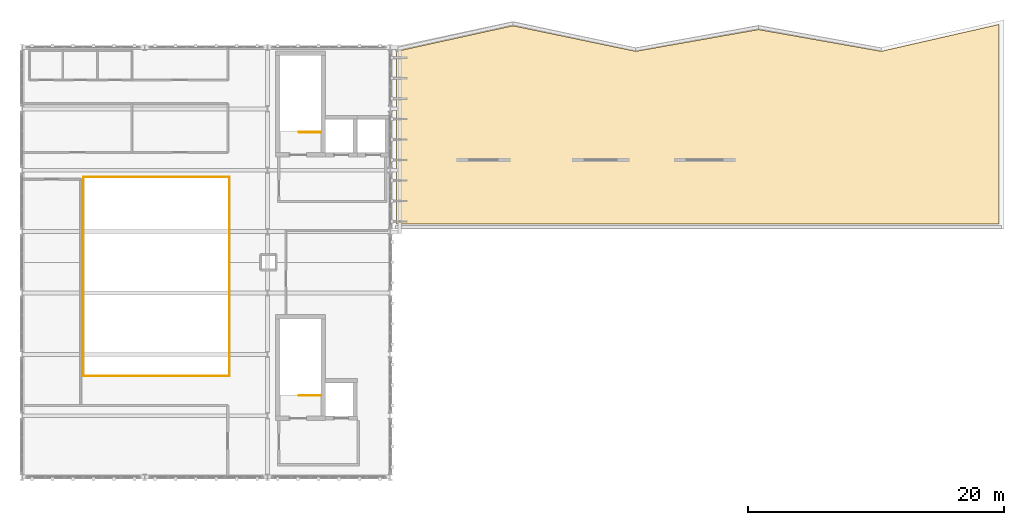
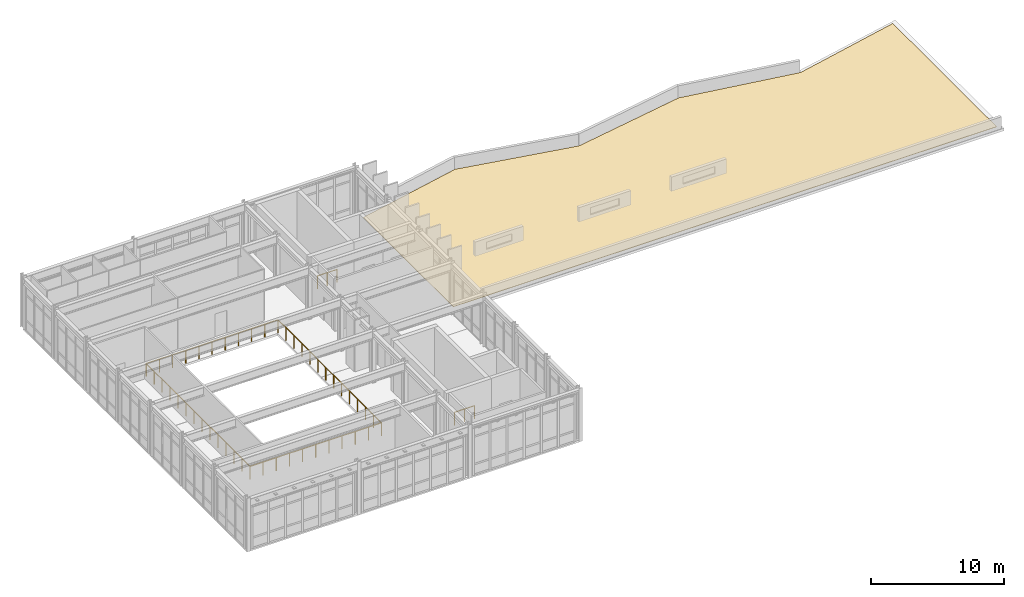
# One storey, part 16 of 16: 6 railings, 1 covering.
"""IFC4 building model written with IfcOpenShell, lengths in metres."""

from ifc_helpers import new_model, si_unit, direction, frame, origin, origin_2d, place, context, subcontext, project, spatial, polyline, circle, outline, extrude, material, layer, layer_set, type_object, element, save


model = new_model("IFC4")

# Units and contexts
model_context = context("Model", 3, precision=1e-05, world=origin(), true_north=direction((0.0, 1.0)))
body_context = subcontext(model_context, "Body", "Model", "MODEL_VIEW")
ifc_project = project(units=[si_unit("LENGTHUNIT", "METRE"), si_unit("AREAUNIT", "SQUARE_METRE"), si_unit("VOLUMEUNIT", "CUBIC_METRE"), si_unit("PLANEANGLEUNIT", "RADIAN"), si_unit("MASSUNIT", "GRAM", prefix="KILO")], contexts=[model_context])

# Site, building, storey
site_placement = place(None, origin())
site = spatial("IfcSite", under=ifc_project, at=site_placement, CompositionType="ELEMENT")
building_placement = place(site_placement, origin())
building = spatial("IfcBuilding", under=site, at=building_placement, Name="Nordkorset Police Headquarters", CompositionType="ELEMENT")
storey_placement = place(building_placement, frame((0.0, 0.0, 31.14990234375)))
storey = spatial("IfcBuildingStorey", under=building, at=storey_placement, Name="L07", CompositionType="ELEMENT", Elevation=31.14990234375)

# Railings
ifc_material_1 = material(Name="Steel S355J2", Category="steel")
ifc_layer_1 = layer(ifc_material_1, 0.050048828125, Name="Steel S355J2")
ifc_layer_set_1 = layer_set([ifc_layer_1], Name="Steel S355J2")
railing_type = type_object("IfcRailingType", Name="Railing_StairGuard_1200", PredefinedType="GUARDRAIL", material=ifc_layer_set_1)
for number, where, name in (
    (1, (23.375, 110.175048828125, 0.0), "L07 ST-01 top well guard 1"),
    (2, (23.375, 89.574951171875, 0.0), "L07 ST-03 top well guard 1"),
):
    element("IfcRailing", number, at=place(storey_placement, frame(where)), inside=storey, type_object=railing_type, Name=name, PredefinedType="GUARDRAIL", context=body_context, shape_type="SweptSolid", body=[
        extrude(circle(Radius=0.02392578125, at=origin_2d()), frame((0.0, 0.0, 1.17578125), z_axis=(-1.0, 0.0, 0.0), x_axis=(0.0, -1.0, 0.0)), (0.0, 0.0, 1.0), 1.699951171875),
        extrude(circle(Radius=0.02099609375, at=origin_2d()), origin(), (0.0, 0.0, 1.0), 1.15185546875),
        extrude(circle(Radius=0.02099609375, at=origin_2d()), frame((-0.85009765625, 0.0, 0.0)), (0.0, 0.0, 1.0), 1.15185546875),
        extrude(circle(Radius=0.02099609375, at=origin_2d()), frame((-1.699951171875, 0.0, 0.0)), (0.0, 0.0, 1.0), 1.15185546875),
    ])
railing_1_placement = place(storey_placement, frame((4.820068359375, 91.1201171875, 0.0)))
element("IfcRailing", 3, at=railing_1_placement, inside=storey, type_object=railing_type, Name="Double-Height Void Guardrail L07-1", PredefinedType="GUARDRAIL", context=body_context, shape_type="SweptSolid", body=[
    extrude(circle(Radius=0.02392578125, at=origin_2d()), frame((0.0, 0.0, 1.17578125), z_axis=(1.0, 0.0, 0.0), x_axis=(0.0, 1.0, 0.0)), (0.0, 0.0, 1.0), 11.409912109375),
    extrude(circle(Radius=0.02099609375, at=origin_2d()), origin(), (0.0, 0.0, 1.0), 1.15185546875),
    extrude(circle(Radius=0.02099609375, at=origin_2d()), frame((1.14111328125, 0.0, 0.0)), (0.0, 0.0, 1.0), 1.15185546875),
    extrude(circle(Radius=0.02099609375, at=origin_2d()), frame((2.281982421875, 0.0, 0.0)), (0.0, 0.0, 1.0), 1.15185546875),
    extrude(circle(Radius=0.02099609375, at=origin_2d()), frame((3.4228515625, 0.0, 0.0)), (0.0, 0.0, 1.0), 1.15185546875),
    extrude(circle(Radius=0.02099609375, at=origin_2d()), frame((4.56396484375, 0.0, 0.0)), (0.0, 0.0, 1.0), 1.15185546875),
    extrude(circle(Radius=0.02099609375, at=origin_2d()), frame((5.705078125, 0.0, 0.0)), (0.0, 0.0, 1.0), 1.15185546875),
    extrude(circle(Radius=0.02099609375, at=origin_2d()), frame((6.845947265625, 0.0, 0.0)), (0.0, 0.0, 1.0), 1.15185546875),
    extrude(circle(Radius=0.02099609375, at=origin_2d()), frame((7.98681640625, 0.0, 0.0)), (0.0, 0.0, 1.0), 1.15185546875),
    extrude(circle(Radius=0.02099609375, at=origin_2d()), frame((9.1279296875, 0.0, 0.0)), (0.0, 0.0, 1.0), 1.15185546875),
    extrude(circle(Radius=0.02099609375, at=origin_2d()), frame((10.26904296875, 0.0, 0.0)), (0.0, 0.0, 1.0), 1.15185546875),
    extrude(circle(Radius=0.02099609375, at=origin_2d()), frame((11.409912109375, 0.0, 0.0)), (0.0, 0.0, 1.0), 1.15185546875),
])
railing_2_placement = place(storey_placement, frame((16.22998046875, 91.1201171875, 0.0)))
element("IfcRailing", 4, at=railing_2_placement, inside=storey, type_object=railing_type, Name="Double-Height Void Guardrail L07-2", PredefinedType="GUARDRAIL", context=body_context, shape_type="SweptSolid", body=[
    extrude(circle(Radius=0.02392578125, at=origin_2d()), frame((0.0, 0.0, 1.17578125), z_axis=(0.0, 1.0, 0.0), x_axis=(-1.0, 0.0, 0.0)), (0.0, 0.0, 1.0), 15.559814453125),
    extrude(circle(Radius=0.02099609375, at=origin_2d()), origin(), (0.0, 0.0, 1.0), 1.15185546875),
    extrude(circle(Radius=0.02099609375, at=origin_2d()), frame((0.0, 1.197021484375, 0.0)), (0.0, 0.0, 1.0), 1.15185546875),
    extrude(circle(Radius=0.02099609375, at=origin_2d()), frame((0.0, 2.393798828125, 0.0)), (0.0, 0.0, 1.0), 1.15185546875),
    extrude(circle(Radius=0.02099609375, at=origin_2d()), frame((0.0, 3.5908203125, 0.0)), (0.0, 0.0, 1.0), 1.15185546875),
    extrude(circle(Radius=0.02099609375, at=origin_2d()), frame((0.0, 4.78759765625, 0.0)), (0.0, 0.0, 1.0), 1.15185546875),
    extrude(circle(Radius=0.02099609375, at=origin_2d()), frame((0.0, 5.984619140625, 0.0)), (0.0, 0.0, 1.0), 1.15185546875),
    extrude(circle(Radius=0.02099609375, at=origin_2d()), frame((0.0, 7.181396484375, 0.0)), (0.0, 0.0, 1.0), 1.15185546875),
    extrude(circle(Radius=0.02099609375, at=origin_2d()), frame((0.0, 8.37841796875, 0.0)), (0.0, 0.0, 1.0), 1.15185546875),
    extrude(circle(Radius=0.02099609375, at=origin_2d()), frame((0.0, 9.5751953125, 0.0)), (0.0, 0.0, 1.0), 1.15185546875),
    extrude(circle(Radius=0.02099609375, at=origin_2d()), frame((0.0, 10.772216796875, 0.0)), (0.0, 0.0, 1.0), 1.15185546875),
    extrude(circle(Radius=0.02099609375, at=origin_2d()), frame((0.0, 11.968994140625, 0.0)), (0.0, 0.0, 1.0), 1.15185546875),
    extrude(circle(Radius=0.02099609375, at=origin_2d()), frame((0.0, 13.166015625, 0.0)), (0.0, 0.0, 1.0), 1.15185546875),
    extrude(circle(Radius=0.02099609375, at=origin_2d()), frame((0.0, 14.36279296875, 0.0)), (0.0, 0.0, 1.0), 1.15185546875),
    extrude(circle(Radius=0.02099609375, at=origin_2d()), frame((0.0, 15.559814453125, 0.0)), (0.0, 0.0, 1.0), 1.15185546875),
])
railing_3_placement = place(storey_placement, frame((16.22998046875, 106.679931640625, 0.0)))
element("IfcRailing", 5, at=railing_3_placement, inside=storey, type_object=railing_type, Name="Double-Height Void Guardrail L07-3", PredefinedType="GUARDRAIL", context=body_context, shape_type="SweptSolid", body=[
    extrude(circle(Radius=0.02392578125, at=origin_2d()), frame((0.0, 0.0, 1.17578125), z_axis=(-1.0, 0.0, 0.0), x_axis=(0.0, -1.0, 0.0)), (0.0, 0.0, 1.0), 11.409912109375),
    extrude(circle(Radius=0.02099609375, at=origin_2d()), origin(), (0.0, 0.0, 1.0), 1.15185546875),
    extrude(circle(Radius=0.02099609375, at=origin_2d()), frame((-1.14111328125, 0.0, 0.0)), (0.0, 0.0, 1.0), 1.15185546875),
    extrude(circle(Radius=0.02099609375, at=origin_2d()), frame((-2.281982421875, 0.0, 0.0)), (0.0, 0.0, 1.0), 1.15185546875),
    extrude(circle(Radius=0.02099609375, at=origin_2d()), frame((-3.4228515625, 0.0, 0.0)), (0.0, 0.0, 1.0), 1.15185546875),
    extrude(circle(Radius=0.02099609375, at=origin_2d()), frame((-4.56396484375, 0.0, 0.0)), (0.0, 0.0, 1.0), 1.15185546875),
    extrude(circle(Radius=0.02099609375, at=origin_2d()), frame((-5.705078125, 0.0, 0.0)), (0.0, 0.0, 1.0), 1.15185546875),
    extrude(circle(Radius=0.02099609375, at=origin_2d()), frame((-6.845947265625, 0.0, 0.0)), (0.0, 0.0, 1.0), 1.15185546875),
    extrude(circle(Radius=0.02099609375, at=origin_2d()), frame((-7.98681640625, 0.0, 0.0)), (0.0, 0.0, 1.0), 1.15185546875),
    extrude(circle(Radius=0.02099609375, at=origin_2d()), frame((-9.1279296875, 0.0, 0.0)), (0.0, 0.0, 1.0), 1.15185546875),
    extrude(circle(Radius=0.02099609375, at=origin_2d()), frame((-10.26904296875, 0.0, 0.0)), (0.0, 0.0, 1.0), 1.15185546875),
    extrude(circle(Radius=0.02099609375, at=origin_2d()), frame((-11.409912109375, 0.0, 0.0)), (0.0, 0.0, 1.0), 1.15185546875),
])
railing_4_placement = place(storey_placement, frame((4.820068359375, 106.679931640625, 0.0)))
element("IfcRailing", 6, at=railing_4_placement, inside=storey, type_object=railing_type, Name="Double-Height Void Guardrail L07-4", PredefinedType="GUARDRAIL", context=body_context, shape_type="SweptSolid", body=[
    extrude(circle(Radius=0.02392578125, at=origin_2d()), frame((0.0, 0.0, 1.17578125), z_axis=(0.0, -1.0, 0.0), x_axis=(1.0, 0.0, 0.0)), (0.0, 0.0, 1.0), 15.559814453125),
    extrude(circle(Radius=0.02099609375, at=origin_2d()), origin(), (0.0, 0.0, 1.0), 1.15185546875),
    extrude(circle(Radius=0.02099609375, at=origin_2d()), frame((0.0, -1.197021484375, 0.0)), (0.0, 0.0, 1.0), 1.15185546875),
    extrude(circle(Radius=0.02099609375, at=origin_2d()), frame((0.0, -2.393798828125, 0.0)), (0.0, 0.0, 1.0), 1.15185546875),
    extrude(circle(Radius=0.02099609375, at=origin_2d()), frame((0.0, -3.5908203125, 0.0)), (0.0, 0.0, 1.0), 1.15185546875),
    extrude(circle(Radius=0.02099609375, at=origin_2d()), frame((0.0, -4.78759765625, 0.0)), (0.0, 0.0, 1.0), 1.15185546875),
    extrude(circle(Radius=0.02099609375, at=origin_2d()), frame((0.0, -5.984619140625, 0.0)), (0.0, 0.0, 1.0), 1.15185546875),
    extrude(circle(Radius=0.02099609375, at=origin_2d()), frame((0.0, -7.181396484375, 0.0)), (0.0, 0.0, 1.0), 1.15185546875),
    extrude(circle(Radius=0.02099609375, at=origin_2d()), frame((0.0, -8.37841796875, 0.0)), (0.0, 0.0, 1.0), 1.15185546875),
    extrude(circle(Radius=0.02099609375, at=origin_2d()), frame((0.0, -9.5751953125, 0.0)), (0.0, 0.0, 1.0), 1.15185546875),
    extrude(circle(Radius=0.02099609375, at=origin_2d()), frame((0.0, -10.772216796875, 0.0)), (0.0, 0.0, 1.0), 1.15185546875),
    extrude(circle(Radius=0.02099609375, at=origin_2d()), frame((0.0, -11.968994140625, 0.0)), (0.0, 0.0, 1.0), 1.15185546875),
    extrude(circle(Radius=0.02099609375, at=origin_2d()), frame((0.0, -13.166015625, 0.0)), (0.0, 0.0, 1.0), 1.15185546875),
    extrude(circle(Radius=0.02099609375, at=origin_2d()), frame((0.0, -14.36279296875, 0.0)), (0.0, 0.0, 1.0), 1.15185546875),
    extrude(circle(Radius=0.02099609375, at=origin_2d()), frame((0.0, -15.559814453125, 0.0)), (0.0, 0.0, 1.0), 1.15185546875),
])

# Covering
ifc_material_2 = material(Name="Patinated Nordic zinc")
ifc_layer_2 = layer(ifc_material_2, 0.0400390625, Name="Patinated Nordic zinc")
ifc_layer_set_2 = layer_set([ifc_layer_2], Name="Patinated Nordic zinc")
covering_type = type_object("IfcCoveringType", Name="Roofing_StandingSeam_Zinc", PredefinedType="ROOFING", material=ifc_layer_set_2)
covering_placement = place(storey_placement, origin())
element("IfcCovering", 7, at=covering_placement, inside=storey, type_object=covering_type, Name="Patinated Nordic Zinc Roof Covering ROOFCVR-V2", PredefinedType="ROOFING", context=body_context, shape_type="SweptSolid", body=[
    extrude(outline(polyline([(29.300048828125, 103.0), (76.39990234375, 103.0), (76.39990234375, 118.60009765625), (67.199951171875, 116.5), (57.60009765625, 118.199951171875), (48.0, 116.5), (38.39990234375, 118.5), (29.300048828125, 116.5), (29.300048828125, 103.0)])), origin(), (0.0, 0.0, 1.0), 0.0400390625),
])

save(model, "model.ifc")
